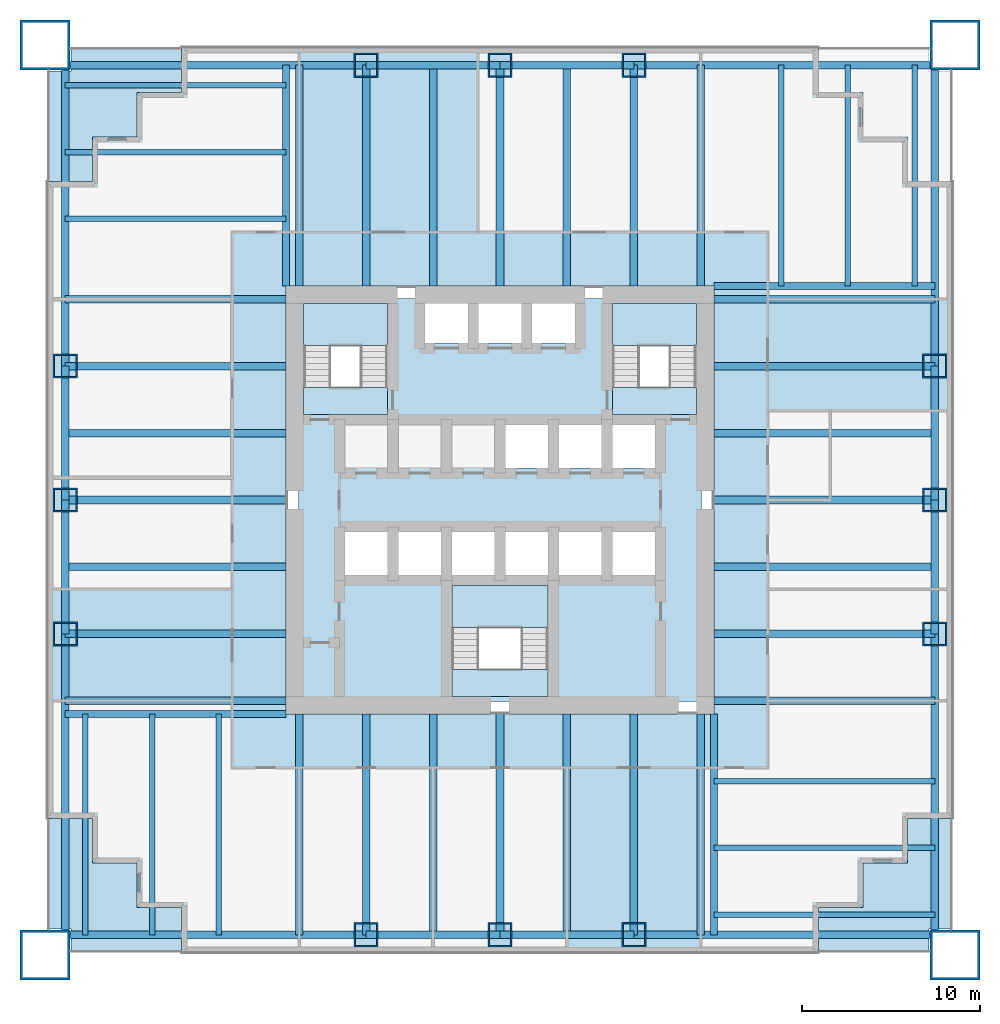
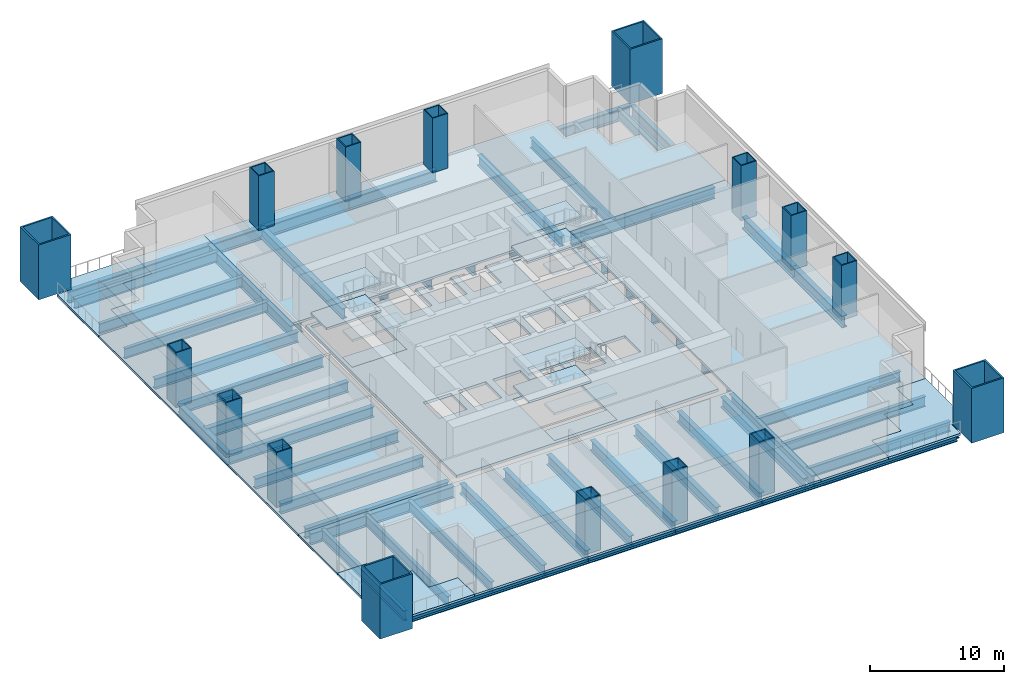
# One storey, part 1 of 6: 60 beams, 20 slabs, 16 columns, 3 elements without a shape of their own.
"""IFC4 building model written with IfcOpenShell, lengths in metres."""

from ifc_helpers import new_model, si_unit, direction, frame, origin, origin_2d, place, context, subcontext, project, spatial, polyline, hollow_rectangle, i_section, outline, extrude, material, layer, layer_set, material_profile, profile_set, type_object, element, aggregate, save


model = new_model("IFC4")

# Units and contexts
model_context = context("Model", 3, precision=1e-05, world=origin(), true_north=direction((0.0, 1.0)))
body_context = subcontext(model_context, "Body", "Model", "MODEL_VIEW")
ifc_project = project(units=[si_unit("LENGTHUNIT", "METRE"), si_unit("AREAUNIT", "SQUARE_METRE"), si_unit("VOLUMEUNIT", "CUBIC_METRE"), si_unit("PLANEANGLEUNIT", "RADIAN"), si_unit("MASSUNIT", "GRAM", prefix="KILO")], contexts=[model_context])

# Site, building, storey
site_placement = place(None, origin())
site = spatial("IfcSite", under=ifc_project, at=site_placement, CompositionType="ELEMENT")
building_placement = place(site_placement, origin())
building = spatial("IfcBuilding", under=site, at=building_placement, Name="Tarangal Relay Tower", CompositionType="ELEMENT")
storey_placement = place(building_placement, frame((0.0, 0.0, 88.39990234375)))
storey = spatial("IfcBuildingStorey", under=building, at=storey_placement, Name="L17", CompositionType="ELEMENT", Elevation=88.39990234375)

# Columns
ifc_material_1 = material(Name="Steel ASTM A572 Grade 42", Category="steel")
ifc_material_profile_1 = material_profile(ifc_material_1, hollow_rectangle(XDim=2.800048828125, YDim=2.800048828125, WallThickness=0.139892578125, at=origin_2d()), Name="BOX2800X2800X140")
ifc_profile_set_1 = profile_set([ifc_material_profile_1], Name="Steel ASTM A572 Grade 42")
column_type_1 = type_object("IfcColumnType", Name="Mega column BOX2800X2800X140", PredefinedType="COLUMN", material=ifc_profile_set_1)
for number, where, z_axis, x_axis, name in (
    (1, (25.5, 25.5, 0.0), (0.0, 0.0, 1.0), (1.0, 0.0, 0.0), "Mega column MC1 NE L17"),
    (2, (25.5, -25.5, 0.0), (0.0, 0.0, 1.0), (1.0, 0.0, 0.0), "Mega column MC1 SE L17"),
    (3, (-25.5, -25.5, 0.0), (0.0, 0.0, 1.0), (1.0, 0.0, 0.0), "Mega column MC1 SW L17"),
    (4, (-25.5, 25.5, 0.0), (0.0, 0.0, 1.0), (1.0, 0.0, 0.0), "Mega column MC1 NW L17"),
):
    element("IfcColumn", number, at=place(storey_placement, frame(where, z_axis=z_axis, x_axis=x_axis)), inside=storey, type_object=column_type_1, Name=name, PredefinedType="COLUMN", context=body_context, shape_type="SweptSolid", body=[
        extrude(hollow_rectangle(XDim=2.800048828125, YDim=2.800048828125, WallThickness=0.139892578125, at=origin_2d()), origin(), (0.0, 0.0, 1.0), 5.0),
    ])
ifc_material_2 = material(Name="Steel ASTM A572 Grade 50", Category="steel")
ifc_material_profile_2 = material_profile(ifc_material_2, hollow_rectangle(XDim=1.35009765625, YDim=1.35009765625, WallThickness=0.0849609375, at=origin_2d()), Name="BOX1350X1350X85")
ifc_profile_set_2 = profile_set([ifc_material_profile_2], Name="Steel ASTM A572 Grade 50")
column_type_2 = type_object("IfcColumnType", Name="Perimeter column BOX1350X1350X85", PredefinedType="COLUMN", material=ifc_profile_set_2)
for number, where, z_axis, x_axis, name in (
    (5, (-7.5, 24.364990234375, 0.0), (0.0, 0.0, 1.0), (1.0, 0.0, 0.0), "Perimeter column PC2 N L17"),
    (6, (0.0, 24.364990234375, 0.0), (0.0, 0.0, 1.0), (1.0, 0.0, 0.0), "Perimeter column PC2 N L17"),
    (7, (7.5, 24.364990234375, 0.0), (0.0, 0.0, 1.0), (1.0, 0.0, 0.0), "Perimeter column PC2 N L17"),
    (8, (24.364990234375, 7.5, 0.0), (0.0, 0.0, 1.0), (1.0, 0.0, 0.0), "Perimeter column PC2 E L17"),
    (9, (24.364990234375, 0.0, 0.0), (0.0, 0.0, 1.0), (1.0, 0.0, 0.0), "Perimeter column PC2 E L17"),
    (10, (24.364990234375, -7.5, 0.0), (0.0, 0.0, 1.0), (1.0, 0.0, 0.0), "Perimeter column PC2 E L17"),
    (11, (7.5, -24.364990234375, 0.0), (0.0, 0.0, 1.0), (1.0, 0.0, 0.0), "Perimeter column PC2 S L17"),
    (12, (0.0, -24.364990234375, 0.0), (0.0, 0.0, 1.0), (1.0, 0.0, 0.0), "Perimeter column PC2 S L17"),
    (13, (-7.5, -24.364990234375, 0.0), (0.0, 0.0, 1.0), (1.0, 0.0, 0.0), "Perimeter column PC2 S L17"),
    (14, (-24.364990234375, -7.5, 0.0), (0.0, 0.0, 1.0), (1.0, 0.0, 0.0), "Perimeter column PC2 W L17"),
    (15, (-24.364990234375, 0.0, 0.0), (0.0, 0.0, 1.0), (1.0, 0.0, 0.0), "Perimeter column PC2 W L17"),
    (16, (-24.364990234375, 7.5, 0.0), (0.0, 0.0, 1.0), (1.0, 0.0, 0.0), "Perimeter column PC2 W L17"),
):
    element("IfcColumn", number, at=place(storey_placement, frame(where, z_axis=z_axis, x_axis=x_axis)), inside=storey, type_object=column_type_2, Name=name, PredefinedType="COLUMN", context=body_context, shape_type="SweptSolid", body=[
        extrude(hollow_rectangle(XDim=1.35009765625, YDim=1.35009765625, WallThickness=0.0849609375, at=origin_2d()), origin(), (0.0, 0.0, 1.0), 5.0),
    ])

# Beams
ifc_material_3 = material(Name="Steel ASTM A992", Category="steel")
ifc_material_profile_3 = material_profile(ifc_material_3, i_section(OverallWidth=0.307373046875, OverallDepth=0.927001953125, WebThickness=0.019287109375, FlangeThickness=0.031982421875, at=origin_2d()), Name="W36X194")
ifc_profile_set_3 = profile_set([ifc_material_profile_3], Name="Steel ASTM A992")
beam_type_1 = type_object("IfcBeamType", Name="Corner beam W36X194", PredefinedType="JOIST", material=ifc_profile_set_3)
for number, where, z_axis, x_axis, name in (
    (17, (15.75, 12.0, -0.663330078125), (0.0, 1.0, 0.0), (-1.0, 0.0, 0.0), "Corner beam CB10 N L17"),
    (18, (19.5, 12.0, -0.663330078125), (0.0, 1.0, 0.0), (-1.0, 0.0, 0.0), "Corner beam CB10 N L17"),
    (19, (23.25, 12.0, -0.663330078125), (0.0, 1.0, 0.0), (-1.0, 0.0, 0.0), "Corner beam CB10 N L17"),
    (20, (12.0, -15.75, -0.663330078125), (1.0, 0.0, 0.0), (0.0, 1.0, 0.0), "Corner beam CB10 E L17"),
    (21, (12.0, -19.5, -0.663330078125), (1.0, 0.0, 0.0), (0.0, 1.0, 0.0), "Corner beam CB10 E L17"),
    (22, (12.0, -23.25, -0.663330078125), (1.0, 0.0, 0.0), (0.0, 1.0, 0.0), "Corner beam CB10 E L17"),
    (23, (-15.75, -12.0, -0.663330078125), (0.0, -1.0, 0.0), (1.0, 0.0, 0.0), "Corner beam CB10 S L17"),
    (24, (-19.5, -12.0, -0.663330078125), (0.0, -1.0, 0.0), (1.0, 0.0, 0.0), "Corner beam CB10 S L17"),
    (25, (-23.25, -12.0, -0.663330078125), (0.0, -1.0, 0.0), (1.0, 0.0, 0.0), "Corner beam CB10 S L17"),
    (26, (-12.0, 15.75, -0.663330078125), (-1.0, 0.0, 0.0), (0.0, -1.0, 0.0), "Corner beam CB10 W L17"),
    (27, (-12.0, 19.5, -0.663330078125), (-1.0, 0.0, 0.0), (0.0, -1.0, 0.0), "Corner beam CB10 W L17"),
    (28, (-12.0, 23.25, -0.663330078125), (-1.0, 0.0, 0.0), (0.0, -1.0, 0.0), "Corner beam CB10 W L17"),
):
    element("IfcBeam", number, at=place(storey_placement, frame(where, z_axis=z_axis, x_axis=x_axis)), inside=storey, type_object=beam_type_1, Name=name, PredefinedType="JOIST", context=body_context, shape_type="SweptSolid", body=[
        extrude(i_section(OverallWidth=0.307373046875, OverallDepth=0.927001953125, WebThickness=0.019287109375, FlangeThickness=0.031982421875, at=origin_2d()), origin(), (0.0, 0.0, 1.0), 12.364990234375),
    ])
ifc_material_profile_4 = material_profile(ifc_material_3, i_section(OverallWidth=0.40380859375, OverallDepth=1.036376953125, WebThickness=0.031005859375, FlangeThickness=0.0458984375, at=origin_2d()), Name="W40X331")
ifc_profile_set_4 = profile_set([ifc_material_profile_4], Name="Steel ASTM A992")
beam_type_2 = type_object("IfcBeamType", Name="Corner girder W40X331", PredefinedType="BEAM", material=ifc_profile_set_4)
for number, where, z_axis, x_axis, name in (
    (29, (12.0, 12.0, -0.718017578125), (1.0, 0.0, 0.0), (0.0, 1.0, 0.0), "Corner girder CG2 N L17"),
    (30, (12.0, -12.0, -0.718017578125), (0.0, -1.0, 0.0), (1.0, 0.0, 0.0), "Corner girder CG2 E L17"),
    (31, (-12.0, -12.0, -0.718017578125), (-1.0, 0.0, 0.0), (0.0, -1.0, 0.0), "Corner girder CG2 S L17"),
    (32, (-12.0, 12.0, -0.718017578125), (0.0, 1.0, 0.0), (-1.0, 0.0, 0.0), "Corner girder CG2 W L17"),
):
    element("IfcBeam", number, at=place(storey_placement, frame(where, z_axis=z_axis, x_axis=x_axis)), inside=storey, type_object=beam_type_2, Name=name, PredefinedType="BEAM", context=body_context, shape_type="SweptSolid", body=[
        extrude(i_section(OverallWidth=0.40380859375, OverallDepth=1.036376953125, WebThickness=0.031005859375, FlangeThickness=0.0458984375, at=origin_2d()), origin(), (0.0, 0.0, 1.0), 12.364990234375),
    ])
ifc_material_profile_5 = material_profile(ifc_material_3, i_section(OverallWidth=0.42431640625, OverallDepth=1.09228515625, WebThickness=0.04541015625, FlangeThickness=0.08203125, at=origin_2d()), Name="W40X593")
ifc_profile_set_5 = profile_set([ifc_material_profile_5], Name="Steel ASTM A992")
beam_type_3 = type_object("IfcBeamType", Name="Edge girder W40X593", PredefinedType="SPANDREL", material=ifc_profile_set_5)
beam_1_placement = place(storey_placement, frame((-24.25, 24.364990234375, -0.74609375), z_axis=(1.0, 0.0, 0.0), x_axis=(0.0, 1.0, 0.0)))
element("IfcBeam", 33, at=beam_1_placement, inside=storey, type_object=beam_type_3, Name="Edge girder EG9 N L17", PredefinedType="SPANDREL", context=body_context, shape_type="SweptSolid", body=[
    extrude(i_section(OverallWidth=0.42431640625, OverallDepth=1.09228515625, WebThickness=0.04541015625, FlangeThickness=0.08203125, at=origin_2d()), origin(), (0.0, 0.0, 1.0), 16.75),
])
for number, where, z_axis, x_axis, name in (
    (34, (-7.5, 24.364990234375, -0.74609375), (1.0, 0.0, 0.0), (0.0, 1.0, 0.0), "Edge girder EG9 N L17"),
    (35, (0.0, 24.364990234375, -0.74609375), (1.0, 0.0, 0.0), (0.0, 1.0, 0.0), "Edge girder EG9 N L17"),
):
    element("IfcBeam", number, at=place(storey_placement, frame(where, z_axis=z_axis, x_axis=x_axis)), inside=storey, type_object=beam_type_3, Name=name, PredefinedType="SPANDREL", context=body_context, shape_type="SweptSolid", body=[
        extrude(i_section(OverallWidth=0.42431640625, OverallDepth=1.09228515625, WebThickness=0.04541015625, FlangeThickness=0.08203125, at=origin_2d()), origin(), (0.0, 0.0, 1.0), 7.5),
    ])
for number, where, z_axis, x_axis, name in (
    (36, (7.5, 24.364990234375, -0.74609375), (1.0, 0.0, 0.0), (0.0, 1.0, 0.0), "Edge girder EG9 N L17"),
    (37, (24.364990234375, 24.25, -0.74609375), (0.0, -1.0, 0.0), (1.0, 0.0, 0.0), "Edge girder EG9 E L17"),
):
    element("IfcBeam", number, at=place(storey_placement, frame(where, z_axis=z_axis, x_axis=x_axis)), inside=storey, type_object=beam_type_3, Name=name, PredefinedType="SPANDREL", context=body_context, shape_type="SweptSolid", body=[
        extrude(i_section(OverallWidth=0.42431640625, OverallDepth=1.09228515625, WebThickness=0.04541015625, FlangeThickness=0.08203125, at=origin_2d()), origin(), (0.0, 0.0, 1.0), 16.75),
    ])
for number, where, z_axis, x_axis, name in (
    (38, (24.364990234375, 7.5, -0.74609375), (0.0, -1.0, 0.0), (1.0, 0.0, 0.0), "Edge girder EG9 E L17"),
    (39, (24.364990234375, 0.0, -0.74609375), (0.0, -1.0, 0.0), (1.0, 0.0, 0.0), "Edge girder EG9 E L17"),
):
    element("IfcBeam", number, at=place(storey_placement, frame(where, z_axis=z_axis, x_axis=x_axis)), inside=storey, type_object=beam_type_3, Name=name, PredefinedType="SPANDREL", context=body_context, shape_type="SweptSolid", body=[
        extrude(i_section(OverallWidth=0.42431640625, OverallDepth=1.09228515625, WebThickness=0.04541015625, FlangeThickness=0.08203125, at=origin_2d()), origin(), (0.0, 0.0, 1.0), 7.5),
    ])
for number, where, z_axis, x_axis, name in (
    (40, (24.364990234375, -7.5, -0.74609375), (0.0, -1.0, 0.0), (1.0, 0.0, 0.0), "Edge girder EG9 E L17"),
    (41, (24.25, -24.364990234375, -0.74609375), (-1.0, 0.0, 0.0), (0.0, -1.0, 0.0), "Edge girder EG9 S L17"),
):
    element("IfcBeam", number, at=place(storey_placement, frame(where, z_axis=z_axis, x_axis=x_axis)), inside=storey, type_object=beam_type_3, Name=name, PredefinedType="SPANDREL", context=body_context, shape_type="SweptSolid", body=[
        extrude(i_section(OverallWidth=0.42431640625, OverallDepth=1.09228515625, WebThickness=0.04541015625, FlangeThickness=0.08203125, at=origin_2d()), origin(), (0.0, 0.0, 1.0), 16.75),
    ])
for number, where, z_axis, x_axis, name in (
    (42, (7.5, -24.364990234375, -0.74609375), (-1.0, 0.0, 0.0), (0.0, -1.0, 0.0), "Edge girder EG9 S L17"),
    (43, (0.0, -24.364990234375, -0.74609375), (-1.0, 0.0, 0.0), (0.0, -1.0, 0.0), "Edge girder EG9 S L17"),
):
    element("IfcBeam", number, at=place(storey_placement, frame(where, z_axis=z_axis, x_axis=x_axis)), inside=storey, type_object=beam_type_3, Name=name, PredefinedType="SPANDREL", context=body_context, shape_type="SweptSolid", body=[
        extrude(i_section(OverallWidth=0.42431640625, OverallDepth=1.09228515625, WebThickness=0.04541015625, FlangeThickness=0.08203125, at=origin_2d()), origin(), (0.0, 0.0, 1.0), 7.5),
    ])
for number, where, z_axis, x_axis, name in (
    (44, (-7.5, -24.364990234375, -0.74609375), (-1.0, 0.0, 0.0), (0.0, -1.0, 0.0), "Edge girder EG9 S L17"),
    (45, (-24.364990234375, -24.25, -0.74609375), (0.0, 1.0, 0.0), (-1.0, 0.0, 0.0), "Edge girder EG9 W L17"),
):
    element("IfcBeam", number, at=place(storey_placement, frame(where, z_axis=z_axis, x_axis=x_axis)), inside=storey, type_object=beam_type_3, Name=name, PredefinedType="SPANDREL", context=body_context, shape_type="SweptSolid", body=[
        extrude(i_section(OverallWidth=0.42431640625, OverallDepth=1.09228515625, WebThickness=0.04541015625, FlangeThickness=0.08203125, at=origin_2d()), origin(), (0.0, 0.0, 1.0), 16.75),
    ])
for number, where, z_axis, x_axis, name in (
    (46, (-24.364990234375, -7.5, -0.74609375), (0.0, 1.0, 0.0), (-1.0, 0.0, 0.0), "Edge girder EG9 W L17"),
    (47, (-24.364990234375, 0.0, -0.74609375), (0.0, 1.0, 0.0), (-1.0, 0.0, 0.0), "Edge girder EG9 W L17"),
):
    element("IfcBeam", number, at=place(storey_placement, frame(where, z_axis=z_axis, x_axis=x_axis)), inside=storey, type_object=beam_type_3, Name=name, PredefinedType="SPANDREL", context=body_context, shape_type="SweptSolid", body=[
        extrude(i_section(OverallWidth=0.42431640625, OverallDepth=1.09228515625, WebThickness=0.04541015625, FlangeThickness=0.08203125, at=origin_2d()), origin(), (0.0, 0.0, 1.0), 7.5),
    ])
beam_2_placement = place(storey_placement, frame((-24.364990234375, 7.5, -0.74609375), z_axis=(0.0, 1.0, 0.0), x_axis=(-1.0, 0.0, 0.0)))
element("IfcBeam", 48, at=beam_2_placement, inside=storey, type_object=beam_type_3, Name="Edge girder EG9 W L17", PredefinedType="SPANDREL", context=body_context, shape_type="SweptSolid", body=[
    extrude(i_section(OverallWidth=0.42431640625, OverallDepth=1.09228515625, WebThickness=0.04541015625, FlangeThickness=0.08203125, at=origin_2d()), origin(), (0.0, 0.0, 1.0), 16.75),
])
ifc_material_profile_6 = material_profile(ifc_material_3, i_section(OverallWidth=0.42431640625, OverallDepth=0.947509765625, WebThickness=0.02392578125, FlangeThickness=0.042724609375, at=origin_2d()), Name="W36X302")
ifc_profile_set_6 = profile_set([ifc_material_profile_6], Name="Steel ASTM A992")
beam_type_4 = type_object("IfcBeamType", Name="Floor beam W36X302", PredefinedType="BEAM", material=ifc_profile_set_6)
for number, where, z_axis, x_axis, name in (
    (49, (-11.25, 12.0, -0.673583984375), (0.0, 1.0, 0.0), (-1.0, 0.0, 0.0), "Floor beam RB10 N L17"),
    (50, (-7.5, 12.0, -0.673583984375), (0.0, 1.0, 0.0), (-1.0, 0.0, 0.0), "Floor beam RB10 N L17"),
    (51, (-3.75, 12.0, -0.673583984375), (0.0, 1.0, 0.0), (-1.0, 0.0, 0.0), "Floor beam RB10 N L17"),
    (52, (0.0, 12.0, -0.673583984375), (0.0, 1.0, 0.0), (-1.0, 0.0, 0.0), "Floor beam RB10 N L17"),
    (53, (3.75, 12.0, -0.673583984375), (0.0, 1.0, 0.0), (-1.0, 0.0, 0.0), "Floor beam RB10 N L17"),
    (54, (7.5, 12.0, -0.673583984375), (0.0, 1.0, 0.0), (-1.0, 0.0, 0.0), "Floor beam RB10 N L17"),
    (55, (11.25, 12.0, -0.673583984375), (0.0, 1.0, 0.0), (-1.0, 0.0, 0.0), "Floor beam RB10 N L17"),
    (56, (12.0, 11.25, -0.673583984375), (1.0, 0.0, 0.0), (0.0, 1.0, 0.0), "Floor beam RB10 E L17"),
    (57, (12.0, 7.5, -0.673583984375), (1.0, 0.0, 0.0), (0.0, 1.0, 0.0), "Floor beam RB10 E L17"),
    (58, (12.0, 3.75, -0.673583984375), (1.0, 0.0, 0.0), (0.0, 1.0, 0.0), "Floor beam RB10 E L17"),
    (59, (12.0, 0.0, -0.673583984375), (1.0, 0.0, 0.0), (0.0, 1.0, 0.0), "Floor beam RB10 E L17"),
    (60, (12.0, -3.75, -0.673583984375), (1.0, 0.0, 0.0), (0.0, 1.0, 0.0), "Floor beam RB10 E L17"),
    (61, (12.0, -7.5, -0.673583984375), (1.0, 0.0, 0.0), (0.0, 1.0, 0.0), "Floor beam RB10 E L17"),
    (62, (12.0, -11.25, -0.673583984375), (1.0, 0.0, 0.0), (0.0, 1.0, 0.0), "Floor beam RB10 E L17"),
    (63, (11.25, -12.0, -0.673583984375), (0.0, -1.0, 0.0), (1.0, 0.0, 0.0), "Floor beam RB10 S L17"),
    (64, (7.5, -12.0, -0.673583984375), (0.0, -1.0, 0.0), (1.0, 0.0, 0.0), "Floor beam RB10 S L17"),
    (65, (3.75, -12.0, -0.673583984375), (0.0, -1.0, 0.0), (1.0, 0.0, 0.0), "Floor beam RB10 S L17"),
    (66, (0.0, -12.0, -0.673583984375), (0.0, -1.0, 0.0), (1.0, 0.0, 0.0), "Floor beam RB10 S L17"),
    (67, (-3.75, -12.0, -0.673583984375), (0.0, -1.0, 0.0), (1.0, 0.0, 0.0), "Floor beam RB10 S L17"),
    (68, (-7.5, -12.0, -0.673583984375), (0.0, -1.0, 0.0), (1.0, 0.0, 0.0), "Floor beam RB10 S L17"),
    (69, (-11.25, -12.0, -0.673583984375), (0.0, -1.0, 0.0), (1.0, 0.0, 0.0), "Floor beam RB10 S L17"),
    (70, (-12.0, -11.25, -0.673583984375), (-1.0, 0.0, 0.0), (0.0, -1.0, 0.0), "Floor beam RB10 W L17"),
    (71, (-12.0, -7.5, -0.673583984375), (-1.0, 0.0, 0.0), (0.0, -1.0, 0.0), "Floor beam RB10 W L17"),
    (72, (-12.0, -3.75, -0.673583984375), (-1.0, 0.0, 0.0), (0.0, -1.0, 0.0), "Floor beam RB10 W L17"),
    (73, (-12.0, 0.0, -0.673583984375), (-1.0, 0.0, 0.0), (0.0, -1.0, 0.0), "Floor beam RB10 W L17"),
    (74, (-12.0, 3.75, -0.673583984375), (-1.0, 0.0, 0.0), (0.0, -1.0, 0.0), "Floor beam RB10 W L17"),
    (75, (-12.0, 7.5, -0.673583984375), (-1.0, 0.0, 0.0), (0.0, -1.0, 0.0), "Floor beam RB10 W L17"),
    (76, (-12.0, 11.25, -0.673583984375), (-1.0, 0.0, 0.0), (0.0, -1.0, 0.0), "Floor beam RB10 W L17"),
):
    element("IfcBeam", number, at=place(storey_placement, frame(where, z_axis=z_axis, x_axis=x_axis)), inside=storey, type_object=beam_type_4, Name=name, PredefinedType="BEAM", context=body_context, shape_type="SweptSolid", body=[
        extrude(i_section(OverallWidth=0.42431640625, OverallDepth=0.947509765625, WebThickness=0.02392578125, FlangeThickness=0.042724609375, at=origin_2d()), origin(), (0.0, 0.0, 1.0), 12.364990234375),
    ])

# Slabs
ifc_material_4 = material(Name="Concrete fc' 35 MPa", Category="concrete")
ifc_layer_1 = layer(ifc_material_4, 0.25)
ifc_layer_set_1 = layer_set([ifc_layer_1], Name="Core floor slab 250")
slab_type_1 = type_object("IfcSlabType", Name="Core floor slab 250", PredefinedType="FLOOR", material=ifc_layer_set_1)
slab_1_placement = place(storey_placement, frame((0.0, 0.0, -0.25)))
element("IfcSlab", 77, at=slab_1_placement, inside=storey, type_object=slab_type_1, Name="Core floor slab L17", PredefinedType="FLOOR", context=body_context, shape_type="SweptSolid", body=[
    extrude(outline(polyline([(11.300048828125, 11.300048828125), (11.300048828125, -11.300048828125), (-11.300048828125, -11.300048828125), (-11.300048828125, 11.300048828125), (-4.199951171875, 11.300048828125), (-4.199951171875, 8.800048828125), (-1.800048828125, 8.800048828125), (-1.800048828125, 11.300048828125), (-1.199951171875, 11.300048828125), (-1.199951171875, 8.800048828125), (1.199951171875, 8.800048828125), (1.199951171875, 11.300048828125), (1.800048828125, 11.300048828125), (1.800048828125, 8.800048828125), (4.199951171875, 8.800048828125), (4.199951171875, 11.300048828125), (11.300048828125, 11.300048828125)]), holes=[polyline([(2.699951171875, -4.800048828125), (-2.699951171875, -4.800048828125), (-2.699951171875, -11.0), (2.699951171875, -11.0), (2.699951171875, -4.800048828125)]), polyline([(-6.300048828125, -4.199951171875), (-6.300048828125, -1.800048828125), (-8.699951171875, -1.800048828125), (-8.699951171875, -4.199951171875), (-6.300048828125, -4.199951171875)]), polyline([(-3.300048828125, -4.199951171875), (-3.300048828125, -1.800048828125), (-5.699951171875, -1.800048828125), (-5.699951171875, -4.199951171875), (-3.300048828125, -4.199951171875)]), polyline([(-0.300048828125, -4.199951171875), (-0.300048828125, -1.800048828125), (-2.699951171875, -1.800048828125), (-2.699951171875, -4.199951171875), (-0.300048828125, -4.199951171875)]), polyline([(2.699951171875, 1.800048828125), (2.699951171875, 4.199951171875), (0.300048828125, 4.199951171875), (0.300048828125, 1.800048828125), (2.699951171875, 1.800048828125)]), polyline([(-6.300048828125, 4.800048828125), (-6.300048828125, 11.0), (-11.0, 11.0), (-11.0, 4.800048828125), (-6.300048828125, 4.800048828125)]), polyline([(2.699951171875, -4.199951171875), (2.699951171875, -1.800048828125), (0.300048828125, -1.800048828125), (0.300048828125, -4.199951171875), (2.699951171875, -4.199951171875)]), polyline([(5.699951171875, -4.199951171875), (5.699951171875, -1.800048828125), (3.300048828125, -1.800048828125), (3.300048828125, -4.199951171875), (5.699951171875, -4.199951171875)]), polyline([(8.699951171875, -4.199951171875), (8.699951171875, -1.800048828125), (6.300048828125, -1.800048828125), (6.300048828125, -4.199951171875), (8.699951171875, -4.199951171875)]), polyline([(5.699951171875, 1.800048828125), (5.699951171875, 4.199951171875), (3.300048828125, 4.199951171875), (3.300048828125, 1.800048828125), (5.699951171875, 1.800048828125)]), polyline([(8.699951171875, 1.800048828125), (8.699951171875, 4.199951171875), (6.300048828125, 4.199951171875), (6.300048828125, 1.800048828125), (8.699951171875, 1.800048828125)]), polyline([(11.0, 4.800048828125), (11.0, 11.0), (6.300048828125, 11.0), (6.300048828125, 4.800048828125), (11.0, 4.800048828125)])]), origin(), (0.0, 0.0, 1.0), 0.25),
])
ifc_layer_2 = layer(ifc_material_4, 0.199951171875)
ifc_layer_set_2 = layer_set([ifc_layer_2], Name="Floor slab 200")
slab_type_2 = type_object("IfcSlabType", Name="Floor slab 200", PredefinedType="FLOOR", material=ifc_layer_set_2)
slab_2_placement = place(storey_placement, frame((0.0, 0.0, -0.199951171875)))
element("IfcSlab", 78, at=slab_2_placement, inside=storey, type_object=slab_type_2, Name="Floor slab FS2 L17 north bay", PredefinedType="FLOOR", context=body_context, shape_type="SweptSolid", body=[
    extrude(outline(polyline([(17.85009765625, 25.35009765625), (17.85009765625, 22.85009765625), (20.35009765625, 22.85009765625), (20.35009765625, 20.35009765625), (22.85009765625, 20.35009765625), (22.85009765625, 17.85009765625), (25.35009765625, 17.85009765625), (25.35009765625, 12.0), (-12.0, 12.0), (-12.0, 25.35009765625), (17.85009765625, 25.35009765625)])), origin(), (0.0, 0.0, 1.0), 0.199951171875),
])
slab_3_placement = place(storey_placement, frame((0.0, 0.0, -0.199951171875)))
element("IfcSlab", 79, at=slab_3_placement, inside=storey, type_object=slab_type_2, Name="Floor slab FS2 L17 east bay", PredefinedType="FLOOR", context=body_context, shape_type="SweptSolid", body=[
    extrude(outline(polyline([(25.35009765625, -17.85009765625), (22.85009765625, -17.85009765625), (22.85009765625, -20.35009765625), (20.35009765625, -20.35009765625), (20.35009765625, -22.85009765625), (17.85009765625, -22.85009765625), (17.85009765625, -25.35009765625), (12.0, -25.35009765625), (12.0, 12.0), (25.35009765625, 12.0), (25.35009765625, -17.85009765625)])), origin(), (0.0, 0.0, 1.0), 0.199951171875),
])
slab_4_placement = place(storey_placement, frame((0.0, 0.0, -0.199951171875)))
element("IfcSlab", 80, at=slab_4_placement, inside=storey, type_object=slab_type_2, Name="Floor slab FS2 L17 south bay", PredefinedType="FLOOR", context=body_context, shape_type="SweptSolid", body=[
    extrude(outline(polyline([(-17.85009765625, -25.35009765625), (-17.85009765625, -22.85009765625), (-20.35009765625, -22.85009765625), (-20.35009765625, -20.35009765625), (-22.85009765625, -20.35009765625), (-22.85009765625, -17.85009765625), (-25.35009765625, -17.85009765625), (-25.35009765625, -12.0), (12.0, -12.0), (12.0, -25.35009765625), (-17.85009765625, -25.35009765625)])), origin(), (0.0, 0.0, 1.0), 0.199951171875),
])
slab_5_placement = place(storey_placement, frame((0.0, 0.0, -0.199951171875)))
element("IfcSlab", 81, at=slab_5_placement, inside=storey, type_object=slab_type_2, Name="Floor slab FS2 L17 west bay", PredefinedType="FLOOR", context=body_context, shape_type="SweptSolid", body=[
    extrude(outline(polyline([(-12.0, 25.35009765625), (-12.0, -12.0), (-25.35009765625, -12.0), (-25.35009765625, 17.85009765625), (-22.85009765625, 17.85009765625), (-22.85009765625, 20.35009765625), (-20.35009765625, 20.35009765625), (-20.35009765625, 22.85009765625), (-17.85009765625, 22.85009765625), (-17.85009765625, 25.35009765625), (-12.0, 25.35009765625)])), origin(), (0.0, 0.0, 1.0), 0.199951171875),
])

# Stair, slabs
ifc_material_5 = material(Name="Steel ASTM A992 stair flight", Category="steel")
stair_type = type_object("IfcStairType", Name="Core stair 1500", PredefinedType="HALF_TURN_STAIR", material=ifc_material_5)
stair_1_placement = place(storey_placement, origin())
stair_1 = element("IfcStair", 82, at=stair_1_placement, inside=storey, type_object=stair_type, Name="Stair ST-A L17", PredefinedType="HALF_TURN_STAIR")
ifc_layer_3 = layer(ifc_material_4, 0.199951171875)
ifc_layer_set_3 = layer_set([ifc_layer_3], Name="Stair landing 200")
slab_type_3 = type_object("IfcSlabType", Name="Stair landing 200", PredefinedType="LANDING", material=ifc_layer_set_3)
slab_6_placement = place(storey_placement, frame((0.0, 0.0, -0.199951171875)))
slab_6 = element("IfcSlab", 83, at=slab_6_placement, type_object=slab_type_3, Name="ST-A landing 1", PredefinedType="LANDING", context=body_context, shape_type="SweptSolid", body=[
    extrude(outline(polyline([(-11.0, 4.800048828125), (-6.300048828125, 4.800048828125), (-6.300048828125, 6.300048828125), (-11.0, 6.300048828125), (-11.0, 4.800048828125)])), origin(), (0.0, 0.0, 1.0), 0.199951171875),
])
slab_7_placement = place(storey_placement, frame((0.0, 0.0, 1.050048828125)))
slab_7 = element("IfcSlab", 84, at=slab_7_placement, type_object=slab_type_3, Name="ST-A landing 2", PredefinedType="LANDING", context=body_context, shape_type="SweptSolid", body=[
    extrude(outline(polyline([(-11.0, 8.64501953125), (-6.300048828125, 8.64501953125), (-6.300048828125, 11.0), (-11.0, 11.0), (-11.0, 8.64501953125)])), origin(), (0.0, 0.0, 1.0), 0.199951171875),
])
slab_8_placement = place(storey_placement, frame((0.0, 0.0, 2.300048828125)))
slab_8 = element("IfcSlab", 85, at=slab_8_placement, type_object=slab_type_3, Name="ST-A landing 3", PredefinedType="LANDING", context=body_context, shape_type="SweptSolid", body=[
    extrude(outline(polyline([(-11.0, 4.800048828125), (-6.300048828125, 4.800048828125), (-6.300048828125, 6.300048828125), (-11.0, 6.300048828125), (-11.0, 4.800048828125)])), origin(), (0.0, 0.0, 1.0), 0.199951171875),
])
slab_9_placement = place(storey_placement, frame((0.0, 0.0, 3.550048828125)))
slab_9 = element("IfcSlab", 86, at=slab_9_placement, type_object=slab_type_3, Name="ST-A landing 4", PredefinedType="LANDING", context=body_context, shape_type="SweptSolid", body=[
    extrude(outline(polyline([(-11.0, 8.64501953125), (-6.300048828125, 8.64501953125), (-6.300048828125, 11.0), (-11.0, 11.0), (-11.0, 8.64501953125)])), origin(), (0.0, 0.0, 1.0), 0.199951171875),
])
aggregate(stair_1, [slab_6, slab_7, slab_8, slab_9])

stair_2_placement = place(storey_placement, origin())
stair_2 = element("IfcStair", 87, at=stair_2_placement, inside=storey, type_object=stair_type, Name="Stair ST-B L17", PredefinedType="HALF_TURN_STAIR")
slab_10_placement = place(storey_placement, frame((0.0, 0.0, -0.199951171875)))
slab_10 = element("IfcSlab", 88, at=slab_10_placement, type_object=slab_type_3, Name="ST-B landing 1", PredefinedType="LANDING", context=body_context, shape_type="SweptSolid", body=[
    extrude(outline(polyline([(6.300048828125, 4.800048828125), (11.0, 4.800048828125), (11.0, 6.300048828125), (6.300048828125, 6.300048828125), (6.300048828125, 4.800048828125)])), origin(), (0.0, 0.0, 1.0), 0.199951171875),
])
slab_11_placement = place(storey_placement, frame((0.0, 0.0, 1.050048828125)))
slab_11 = element("IfcSlab", 89, at=slab_11_placement, type_object=slab_type_3, Name="ST-B landing 2", PredefinedType="LANDING", context=body_context, shape_type="SweptSolid", body=[
    extrude(outline(polyline([(6.300048828125, 8.64501953125), (11.0, 8.64501953125), (11.0, 11.0), (6.300048828125, 11.0), (6.300048828125, 8.64501953125)])), origin(), (0.0, 0.0, 1.0), 0.199951171875),
])
slab_12_placement = place(storey_placement, frame((0.0, 0.0, 2.300048828125)))
slab_12 = element("IfcSlab", 90, at=slab_12_placement, type_object=slab_type_3, Name="ST-B landing 3", PredefinedType="LANDING", context=body_context, shape_type="SweptSolid", body=[
    extrude(outline(polyline([(6.300048828125, 4.800048828125), (11.0, 4.800048828125), (11.0, 6.300048828125), (6.300048828125, 6.300048828125), (6.300048828125, 4.800048828125)])), origin(), (0.0, 0.0, 1.0), 0.199951171875),
])
slab_13_placement = place(storey_placement, frame((0.0, 0.0, 3.550048828125)))
slab_13 = element("IfcSlab", 91, at=slab_13_placement, type_object=slab_type_3, Name="ST-B landing 4", PredefinedType="LANDING", context=body_context, shape_type="SweptSolid", body=[
    extrude(outline(polyline([(6.300048828125, 8.64501953125), (11.0, 8.64501953125), (11.0, 11.0), (6.300048828125, 11.0), (6.300048828125, 8.64501953125)])), origin(), (0.0, 0.0, 1.0), 0.199951171875),
])
aggregate(stair_2, [slab_10, slab_11, slab_12, slab_13])

stair_3_placement = place(storey_placement, origin())
stair_3 = element("IfcStair", 92, at=stair_3_placement, inside=storey, type_object=stair_type, Name="Stair ST-C L17", PredefinedType="HALF_TURN_STAIR")
slab_14_placement = place(storey_placement, frame((0.0, 0.0, -0.199951171875)))
slab_14 = element("IfcSlab", 93, at=slab_14_placement, type_object=slab_type_3, Name="ST-C landing 1", PredefinedType="LANDING", context=body_context, shape_type="SweptSolid", body=[
    extrude(outline(polyline([(-2.699951171875, -11.0), (2.699951171875, -11.0), (2.699951171875, -9.5), (-2.699951171875, -9.5), (-2.699951171875, -11.0)])), origin(), (0.0, 0.0, 1.0), 0.199951171875),
])
slab_15_placement = place(storey_placement, frame((0.0, 0.0, 1.050048828125)))
slab_15 = element("IfcSlab", 94, at=slab_15_placement, type_object=slab_type_3, Name="ST-C landing 2", PredefinedType="LANDING", context=body_context, shape_type="SweptSolid", body=[
    extrude(outline(polyline([(-2.699951171875, -7.155029296875), (2.699951171875, -7.155029296875), (2.699951171875, -4.800048828125), (-2.699951171875, -4.800048828125), (-2.699951171875, -7.155029296875)])), origin(), (0.0, 0.0, 1.0), 0.199951171875),
])
slab_16_placement = place(storey_placement, frame((0.0, 0.0, 2.300048828125)))
slab_16 = element("IfcSlab", 95, at=slab_16_placement, type_object=slab_type_3, Name="ST-C landing 3", PredefinedType="LANDING", context=body_context, shape_type="SweptSolid", body=[
    extrude(outline(polyline([(-2.699951171875, -11.0), (2.699951171875, -11.0), (2.699951171875, -9.5), (-2.699951171875, -9.5), (-2.699951171875, -11.0)])), origin(), (0.0, 0.0, 1.0), 0.199951171875),
])
slab_17_placement = place(storey_placement, frame((0.0, 0.0, 3.550048828125)))
slab_17 = element("IfcSlab", 96, at=slab_17_placement, type_object=slab_type_3, Name="ST-C landing 4", PredefinedType="LANDING", context=body_context, shape_type="SweptSolid", body=[
    extrude(outline(polyline([(-2.699951171875, -7.155029296875), (2.699951171875, -7.155029296875), (2.699951171875, -4.800048828125), (-2.699951171875, -4.800048828125), (-2.699951171875, -7.155029296875)])), origin(), (0.0, 0.0, 1.0), 0.199951171875),
])
aggregate(stair_3, [slab_14, slab_15, slab_16, slab_17])

# Slabs
ifc_layer_4 = layer(ifc_material_4, 0.199951171875)
ifc_layer_set_4 = layer_set([ifc_layer_4], Name="Terrace slab 200")
slab_type_4 = type_object("IfcSlabType", Name="Terrace slab 200", PredefinedType="FLOOR", material=ifc_layer_set_4)
slab_18_placement = place(storey_placement, frame((0.0, 0.0, -0.199951171875)))
element("IfcSlab", 97, at=slab_18_placement, inside=storey, type_object=slab_type_4, Name="Corner terrace SE L17", PredefinedType="FLOOR", context=body_context, shape_type="SweptSolid", body=[
    extrude(outline(polyline([(25.35009765625, -17.85009765625), (22.85009765625, -17.85009765625), (22.85009765625, -20.35009765625), (20.35009765625, -20.35009765625), (20.35009765625, -22.85009765625), (17.85009765625, -22.85009765625), (17.85009765625, -25.35009765625), (24.050048828125, -25.35009765625), (24.050048828125, -24.050048828125), (25.35009765625, -24.050048828125), (25.35009765625, -17.85009765625)])), origin(), (0.0, 0.0, 1.0), 0.199951171875),
])
slab_19_placement = place(storey_placement, frame((0.0, 0.0, -0.199951171875)))
element("IfcSlab", 98, at=slab_19_placement, inside=storey, type_object=slab_type_4, Name="Corner terrace SW L17", PredefinedType="FLOOR", context=body_context, shape_type="SweptSolid", body=[
    extrude(outline(polyline([(-17.85009765625, -25.35009765625), (-17.85009765625, -22.85009765625), (-20.35009765625, -22.85009765625), (-20.35009765625, -20.35009765625), (-22.85009765625, -20.35009765625), (-22.85009765625, -17.85009765625), (-25.35009765625, -17.85009765625), (-25.35009765625, -24.050048828125), (-24.050048828125, -24.050048828125), (-24.050048828125, -25.35009765625), (-17.85009765625, -25.35009765625)])), origin(), (0.0, 0.0, 1.0), 0.199951171875),
])
slab_20_placement = place(storey_placement, frame((0.0, 0.0, -0.199951171875)))
element("IfcSlab", 99, at=slab_20_placement, inside=storey, type_object=slab_type_4, Name="Corner terrace NW L17", PredefinedType="FLOOR", context=body_context, shape_type="SweptSolid", body=[
    extrude(outline(polyline([(-25.35009765625, 17.85009765625), (-22.85009765625, 17.85009765625), (-22.85009765625, 20.35009765625), (-20.35009765625, 20.35009765625), (-20.35009765625, 22.85009765625), (-17.85009765625, 22.85009765625), (-17.85009765625, 25.35009765625), (-24.050048828125, 25.35009765625), (-24.050048828125, 24.050048828125), (-25.35009765625, 24.050048828125), (-25.35009765625, 17.85009765625)])), origin(), (0.0, 0.0, 1.0), 0.199951171875),
])

save(model, "model.ifc")
